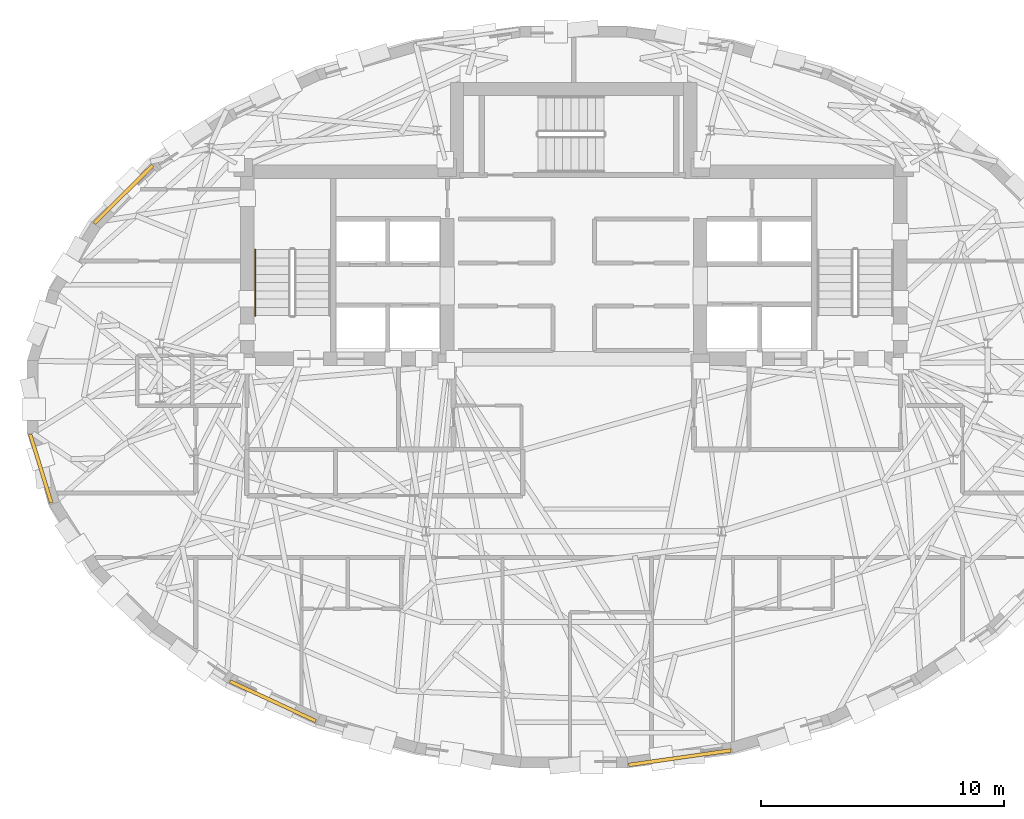
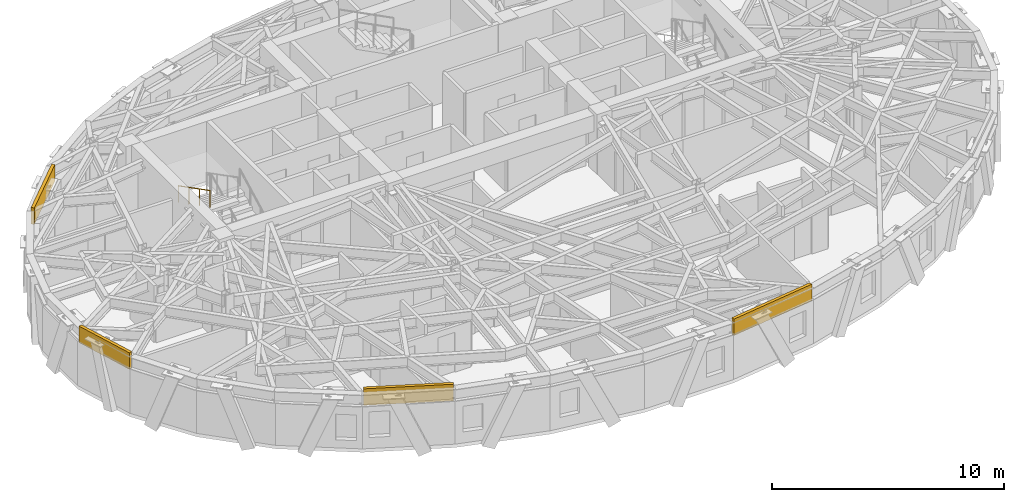
# One storey, part 10 of 12: 4 coverings, 1 railing.
"""IFC4 building model written with IfcOpenShell, lengths in metres."""

import ifcopenshell
import ifcopenshell.guid

model = None  # the IFC model being written
_history = None  # IfcOwnerHistory: only IFC2X3 demands one
_inside = {}  # id of a spatial element -> (the spatial element, [elements in it])
_under = {}  # id of a project, library or spatial element -> (it, [spatial elements below it])
_declared = {}  # id of a project -> (the project, [libraries it declares])
_typed = {}  # id of a type object -> (the type object, [elements of that type])
_made_of = {}  # id of a material, layer set ... -> (it, [elements and type objects made of it])


def new_model(schema):
    """Start an empty IFC model of exactly this schema.

    Asked for "IFC4X3", IfcOpenShell would pick the latest addendum, in which some entities
    have other attributes; the version numbers below select the first issue.
    IFC2X3 requires an IfcOwnerHistory on every rooted entity: one is made here for all.
    """
    global model, _history
    if schema == "IFC4X3":
        model = ifcopenshell.file(schema_version=(4, 3, 0, 0))
    else:
        model = ifcopenshell.file(schema=schema)
    _inside.clear()
    _under.clear()
    _declared.clear()
    _typed.clear()
    _made_of.clear()
    _history = None
    if model.schema == "IFC2X3":
        org = make("IfcOrganization", Name="unknown")
        user = make(
            "IfcPersonAndOrganization",
            ThePerson=make("IfcPerson", FamilyName="unknown"),
            TheOrganization=org,
        )
        app = make(
            "IfcApplication",
            ApplicationDeveloper=org,
            Version="unknown",
            ApplicationFullName="unknown",
            ApplicationIdentifier="unknown",
        )
        _history = make(
            "IfcOwnerHistory",
            OwningUser=user,
            OwningApplication=app,
            ChangeAction="ADDED",
            CreationDate=0,
        )
    return model


def make(cls, **values):
    """One entity of the class cls with the attributes given. An attribute that is None is left unset."""
    return model.create_entity(
        cls, **{name: value for name, value in values.items() if value is not None}
    )


def rooted(cls, **values):
    """An entity with a GlobalId (a new one), such as an element, a storey or a relation."""
    return make(cls, GlobalId=ifcopenshell.guid.new(), OwnerHistory=_history, **values)


def si_unit(unit_type, name, prefix=None):
    """IfcSIUnit, for example si_unit("LENGTHUNIT", "METRE", prefix="MILLI")."""
    return make("IfcSIUnit", UnitType=unit_type, Prefix=prefix, Name=name)


def assignment(units):
    """IfcUnitAssignment: the units of a project."""
    return None if units is None else make("IfcUnitAssignment", Units=units)


def point(xyz):
    """IfcCartesianPoint."""
    return None if xyz is None else make("IfcCartesianPoint", Coordinates=xyz)


def direction(xyz):
    """IfcDirection."""
    return None if xyz is None else make("IfcDirection", DirectionRatios=xyz)


def frame(location, z_axis=None, x_axis=None):
    """IfcAxis2Placement3D, a coordinate frame: its origin and axes. An axis left out is left unset."""
    return make(
        "IfcAxis2Placement3D",
        Location=point(location),
        Axis=direction(z_axis),
        RefDirection=direction(x_axis),
    )


def frame_2d(location, x_axis=None):
    """IfcAxis2Placement2D, a coordinate frame in the plane: its origin and x axis."""
    return make(
        "IfcAxis2Placement2D", Location=point(location), RefDirection=direction(x_axis)
    )


def origin():
    """The frame at (0, 0, 0) with its axes left unset."""
    return frame((0.0, 0.0, 0.0))


def origin_2d():
    """The frame at (0, 0) in the plane with its x axis left unset."""
    return frame_2d((0.0, 0.0))


def place(relative_to, where):
    """IfcLocalPlacement: puts the frame where relative to a parent placement (None: the world)."""
    return make(
        "IfcLocalPlacement", PlacementRelTo=relative_to, RelativePlacement=where
    )


def context(
    kind, dimensions, precision=None, world=None, true_north=None, identifier=None
):
    """IfcGeometricRepresentationContext, for example the 3D "Model" context."""
    return make(
        "IfcGeometricRepresentationContext",
        ContextIdentifier=identifier,
        ContextType=kind,
        CoordinateSpaceDimension=dimensions,
        Precision=precision,
        WorldCoordinateSystem=world,
        TrueNorth=true_north,
    )


def subcontext(parent, identifier, kind, view, scale=None):
    """IfcGeometricRepresentationSubContext, for example "Body" below "Model"."""
    return make(
        "IfcGeometricRepresentationSubContext",
        ContextIdentifier=identifier,
        ContextType=kind,
        ParentContext=parent,
        TargetScale=scale,
        TargetView=view,
    )


def project(units=None, contexts=None):
    """IfcProject with its units and contexts."""
    return rooted(
        "IfcProject",
        Name="project",
        RepresentationContexts=contexts,
        UnitsInContext=assignment(units),
    )


def spatial(cls, under=None, at=None, **own):
    """A site, building, storey or space (cls), placed at a placement, below another one or the project."""
    s = rooted(cls, ObjectPlacement=at, **own)
    if under is not None:
        _under.setdefault(under.id(), (under, []))[1].append(s)
    return s


def profile(cls, at=None, kind="AREA", **sizes):
    """A parametric profile (cls). Its sizes go by their IFC names, for example OverallWidth=200.0."""
    return make(cls, ProfileType=kind, Position=at, **sizes)


def rectangle(**sizes):
    """IfcRectangleProfileDef."""
    return profile("IfcRectangleProfileDef", **sizes)


def circle(**sizes):
    """IfcCircleProfileDef."""
    return profile("IfcCircleProfileDef", **sizes)


def extrude(swept, where, along, depth):
    """IfcExtrudedAreaSolid: the profile swept, set in the frame where, extruded along a direction by depth."""
    return make(
        "IfcExtrudedAreaSolid",
        SweptArea=swept,
        Position=where,
        ExtrudedDirection=direction(along),
        Depth=depth,
    )


def shape(context_of_items, identifier, shape_type, items):
    """IfcShapeRepresentation: the items that make up one representation, for example the "Body"."""
    return make(
        "IfcShapeRepresentation",
        ContextOfItems=context_of_items,
        RepresentationIdentifier=identifier,
        RepresentationType=shape_type,
        Items=items,
    )


def material(Name=None, Category=None):
    """IfcMaterial."""
    return make("IfcMaterial", Name=Name, Category=Category)


def layer(
    of_material, thickness, ventilated=None, Name=None, Category=None, Priority=None
):
    """IfcMaterialLayer: one layer of a wall or slab, of a material (None: an air gap)."""
    return make(
        "IfcMaterialLayer",
        Material=of_material,
        LayerThickness=thickness,
        IsVentilated=ventilated,
        Name=Name,
        Category=Category,
        Priority=Priority,
    )


def layer_set(layers, Name=None):
    """IfcMaterialLayerSet."""
    return make("IfcMaterialLayerSet", MaterialLayers=layers, LayerSetName=Name)


def made_of(thing, what):
    """Note that an element or type object is made of a material, layer set ...; save() writes the relation."""
    if what is not None:
        _made_of.setdefault(what.id(), (what, []))[1].append(thing)
    return thing


def type_object(cls, material=None, **own):
    """A type object (cls), such as IfcWallType, which elements share."""
    return made_of(rooted(cls, **own), material)


def element(
    cls,
    number,
    at=None,
    inside=None,
    cuts=None,
    type_object=None,
    material=None,
    context=None,
    identifier="Body",
    shape_type=None,
    held_by="IfcProductDefinitionShape",
    body=None,
    shapes=None,
    **own,
):
    """One element of the class cls, such as IfcWall. Its Tag is "e" and its number.

    at: its placement. inside: the storey or other place that contains it. cuts: it is an
    opening in that element (IfcRelVoidsElement). A single representation is given by context,
    identifier, shape_type and body (its items); several are given by shapes. held_by: the class
    of the entity that holds the representations. save() writes the other relations.
    """
    e = rooted(cls, Tag="e%d" % number, ObjectPlacement=at, **own)
    if body is not None:
        shapes = [shape(context, identifier, shape_type, body)]
    if shapes is not None:
        e.Representation = make(held_by, Representations=shapes)
    if inside is not None:
        _inside.setdefault(inside.id(), (inside, []))[1].append(e)
    if cuts is not None:
        rooted(
            "IfcRelVoidsElement", RelatingBuildingElement=cuts, RelatedOpeningElement=e
        )
    if type_object is not None:
        _typed.setdefault(type_object.id(), (type_object, []))[1].append(e)
    return made_of(e, material)


def aggregate(whole, parts):
    """IfcRelAggregates: a whole, such as a stair, and the parts it consists of."""
    return rooted("IfcRelAggregates", RelatingObject=whole, RelatedObjects=parts)


def save(model, path):
    """Write the relations noted so far, then the file.

    IfcRelAggregates (storeys below a building ...), IfcRelContainedInSpatialStructure (elements
    in a storey), IfcRelDefinesByType, IfcRelAssociatesMaterial and IfcRelDeclares: one each for
    every whole, place, type object, material and project.
    """
    for whole, parts in _under.values():
        aggregate(whole, parts)
    for where, things in _inside.values():
        rooted(
            "IfcRelContainedInSpatialStructure",
            RelatedElements=things,
            RelatingStructure=where,
        )
    for kind, things in _typed.values():
        rooted("IfcRelDefinesByType", RelatedObjects=things, RelatingType=kind)
    for what, things in _made_of.values():
        rooted("IfcRelAssociatesMaterial", RelatedObjects=things, RelatingMaterial=what)
    for by, libraries in _declared.values():
        rooted("IfcRelDeclares", RelatingContext=by, RelatedDefinitions=libraries)
    model.write(path)


model = new_model("IFC4")

# Units and contexts
model_context = context("Model", 3, precision=1e-05, world=origin(), true_north=direction((0.0, 1.0)))
body_context = subcontext(model_context, "Body", "Model", "MODEL_VIEW")
ifc_project = project(units=[si_unit("LENGTHUNIT", "METRE"), si_unit("AREAUNIT", "SQUARE_METRE"), si_unit("VOLUMEUNIT", "CUBIC_METRE"), si_unit("PLANEANGLEUNIT", "RADIAN"), si_unit("MASSUNIT", "GRAM", prefix="KILO")], contexts=[model_context])

# Site, building, storey
site_placement = place(None, origin())
site = spatial("IfcSite", under=ifc_project, at=site_placement, CompositionType="ELEMENT")
building_placement = place(site_placement, origin())
building = spatial("IfcBuilding", under=site, at=building_placement, Name="Keldmark Tower", CompositionType="ELEMENT")
storey_placement = place(building_placement, frame((0.0, 0.0, 228.89990234375)))
storey = spatial("IfcBuildingStorey", under=building, at=storey_placement, Name="L64", CompositionType="ELEMENT", Elevation=228.89990234375)

# Coverings
ifc_material_1 = material(Name="Honed Kasota Buff Dolomitic Limestone", Category="masonry")
ifc_layer = layer(ifc_material_1, 0.074951171875)
ifc_layer_set = layer_set([ifc_layer], Name="Honed Kasota Buff Dolomitic Limestone")
covering_type = type_object("IfcCoveringType", Name="Kasota Buff Limestone Spandrel Cladding Band", PredefinedType="CLADDING", material=ifc_layer_set)
covering_1_placement = place(storey_placement, frame((-18.516357421875, 8.345458984375, 2.260009765625), z_axis=(0.0, 0.0, 1.0), x_axis=(-0.70954613973, -0.704658978226, 0.0)))
element("IfcCovering", 1, at=covering_1_placement, inside=storey, type_object=covering_type, Name="L64 Kasota Limestone Spandrel Band 13", PredefinedType="CLADDING", context=body_context, shape_type="SweptSolid", body=[
    extrude(rectangle(XDim=3.380859375, YDim=0.14990234375, at=origin_2d()), origin(), (0.0, 0.0, 1.0), 0.8701171875),
])
covering_2_placement = place(storey_placement, frame((-21.92578125, -2.937744140625, 2.260009765625), z_axis=(0.0, 0.0, 1.0), x_axis=(0.294974361802, -0.955505167898, 0.0)))
element("IfcCovering", 2, at=covering_2_placement, inside=storey, type_object=covering_type, Name="L64 Kasota Limestone Spandrel Band 17", PredefinedType="CLADDING", context=body_context, shape_type="SweptSolid", body=[
    extrude(rectangle(XDim=2.953857421875, YDim=0.14990234375, at=origin_2d()), origin(), (0.0, 0.0, 1.0), 0.8701171875),
])
covering_3_placement = place(storey_placement, frame((-12.375, -12.509521484375, 2.260009765625), z_axis=(0.0, 0.0, 1.0), x_axis=(0.907425760663, -0.420212433045, 0.0)))
element("IfcCovering", 3, at=covering_3_placement, inside=storey, type_object=covering_type, Name="L64 Kasota Limestone Spandrel Band 21", PredefinedType="CLADDING", context=body_context, shape_type="SweptSolid", body=[
    extrude(rectangle(XDim=3.888916015625, YDim=0.14990234375, at=origin_2d()), origin(), (0.0, 0.0, 1.0), 0.8701171875),
])
covering_4_placement = place(storey_placement, frame((4.364501953125, -14.831298828125, 2.260009765625), z_axis=(0.0, 0.0, 1.0), x_axis=(0.990075234216, 0.140538359859, 0.0)))
element("IfcCovering", 4, at=covering_4_placement, inside=storey, type_object=covering_type, Name="L64 Kasota Limestone Spandrel Band 25", PredefinedType="CLADDING", context=body_context, shape_type="SweptSolid", body=[
    extrude(rectangle(XDim=4.25439453125, YDim=0.14990234375, at=origin_2d()), origin(), (0.0, 0.0, 1.0), 0.8701171875),
])

# Railing
ifc_material_2 = material(Name="Stainless Steel AISI 316L", Category="steel")
railing_type = type_object("IfcRailingType", Name="Stainless Steel Stair Handrail 900 mm", PredefinedType="HANDRAIL", material=ifc_material_2)
railing_placement = place(storey_placement, frame((-13.10009765625, 6.070068359375, 1.75)))
element("IfcRailing", 5, at=railing_placement, inside=storey, type_object=railing_type, Name="L64 ST1 stair handrail 2", PredefinedType="HANDRAIL", context=body_context, shape_type="SweptSolid", body=[
    extrude(circle(Radius=0.02392578125, at=origin_2d()), frame((0.0, 0.0, 0.8759765625), z_axis=(0.0, -0.889114319608, 0.457685182924), x_axis=(1.0, 0.0, 0.0)), (0.0, 0.0, 1.0), 3.05908203125),
    extrude(circle(Radius=0.02099609375, at=origin_2d()), origin(), (0.0, 0.0, 1.0), 0.851806640625),
    extrude(circle(Radius=0.02099609375, at=origin_2d()), frame((0.0, -0.90673828125, 0.466796875)), (0.0, 0.0, 1.0), 0.851806640625),
    extrude(circle(Radius=0.02099609375, at=origin_2d()), frame((0.0, -1.813232421875, 0.933349609375)), (0.0, 0.0, 1.0), 0.851806640625),
    extrude(circle(Radius=0.02099609375, at=origin_2d()), frame((0.0, -2.719970703125, 1.400146484375)), (0.0, 0.0, 1.0), 0.851806640625),
])

save(model, "model.ifc")
